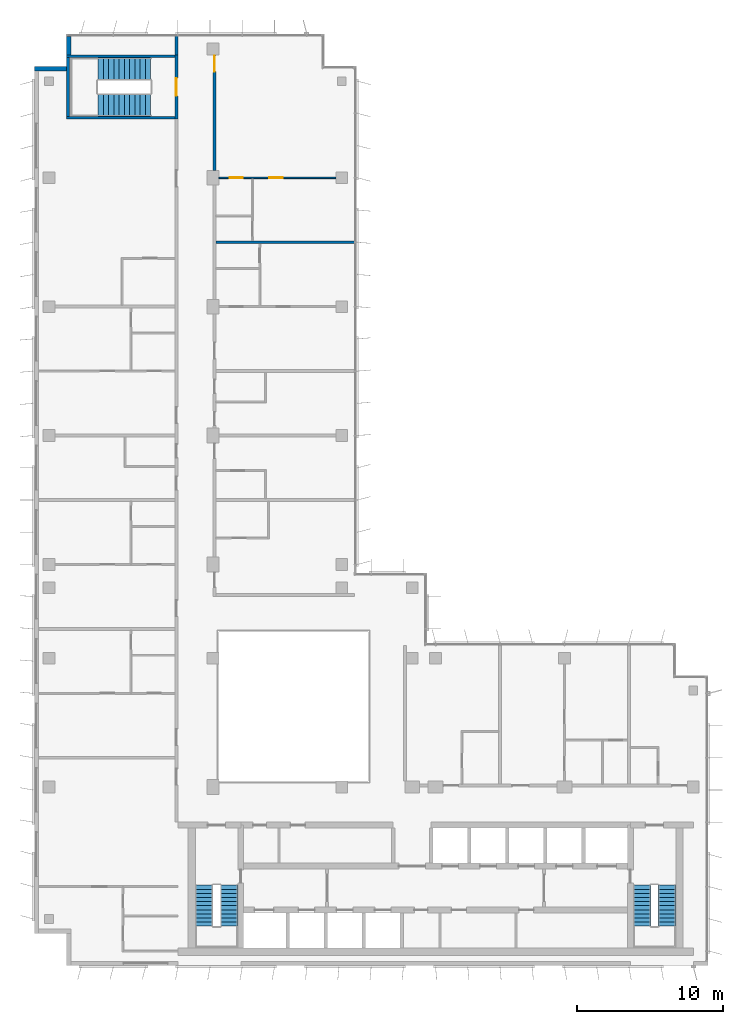
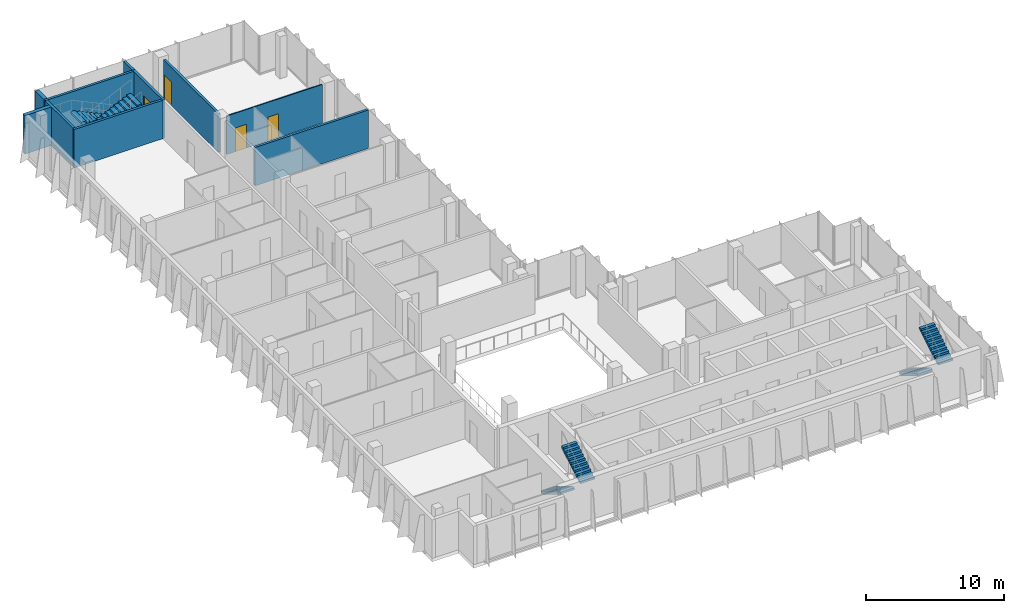
# One storey, part 13 of 16: 10 walls, 6 stair flights, 4 doors, 4 openings, 3 elements without a shape of their own.
"""IFC4 building model written with IfcOpenShell, lengths in metres."""

from ifc_helpers import new_model, si_unit, direction, frame, frame_2d, origin, place, context, subcontext, project, spatial, polyline, rectangle, outline, extrude, material, layer, layer_set, type_object, element, fill, aggregate, save


model = new_model("IFC4")

# Units and contexts
model_context = context("Model", 3, precision=1e-05, world=origin(), true_north=direction((0.0, 1.0)))
body_context = subcontext(model_context, "Body", "Model", "MODEL_VIEW")
ifc_project = project(units=[si_unit("LENGTHUNIT", "METRE"), si_unit("AREAUNIT", "SQUARE_METRE"), si_unit("VOLUMEUNIT", "CUBIC_METRE"), si_unit("PLANEANGLEUNIT", "RADIAN"), si_unit("MASSUNIT", "GRAM", prefix="KILO")], contexts=[model_context])

# Site, building, storey
site_placement = place(None, origin())
site = spatial("IfcSite", under=ifc_project, at=site_placement, CompositionType="ELEMENT")
building_placement = place(site_placement, origin())
building = spatial("IfcBuilding", under=site, at=building_placement, Name="Kemantara Hotel Tower", CompositionType="ELEMENT")
storey_placement = place(building_placement, frame((0.0, 0.0, 283.300048828125)))
storey = spatial("IfcBuildingStorey", under=building, at=storey_placement, Name="L71", CompositionType="ELEMENT", Elevation=283.300048828125)

# Walls
ifc_material_1 = material(Name="Bronze anodised aluminium cladding on insulated steel stud wall", Category="steel")
ifc_layer_1 = layer(ifc_material_1, 0.300048828125)
ifc_layer_set_1 = layer_set([ifc_layer_1], Name="Bronze anodised aluminium cladding on insulated steel stud wall")
wall_type_1 = type_object("IfcWallType", Name="BRONZE METAL-CLAD EXTERNAL WALL 300", PredefinedType="STANDARD", material=ifc_layer_set_1)
wall_1_placement = place(storey_placement, frame((2.35009765625, 63.449951171875, 0.0), z_axis=(0.0, 0.0, 1.0), x_axis=(0.0, -1.0, 0.0)))
element("IfcWall", 1, at=wall_1_placement, inside=storey, type_object=wall_type_1, Name="EXTERNAL WALL L71 T4-R03", PredefinedType="STANDARD", context=body_context, shape_type="SweptSolid", body=[
    extrude(rectangle(XDim=1.25, YDim=0.300048828125, at=frame_2d((0.625, 0.0))), origin(), (0.0, 0.0, 1.0), 3.39990234375),
])
wall_2_placement = place(storey_placement, frame((2.199951171875, 61.25, 0.0), z_axis=(0.0, 0.0, 1.0), x_axis=(-1.0, 0.0, 0.0)))
element("IfcWall", 2, at=wall_2_placement, inside=storey, type_object=wall_type_1, Name="EXTERNAL WALL L71 T4-R04", PredefinedType="STANDARD", context=body_context, shape_type="SweptSolid", body=[
    extrude(rectangle(XDim=2.199951171875, YDim=0.300048828125, at=frame_2d((1.10009765625, 0.0))), origin(), (0.0, 0.0, 1.0), 3.39990234375),
])
ifc_material_2 = material(Name="Gypsum board partition, steel studs and mineral wool, 200 mm", Category="steel")
ifc_layer_2 = layer(ifc_material_2, 0.199951171875)
ifc_layer_set_2 = layer_set([ifc_layer_2], Name="Gypsum board partition, steel studs and mineral wool, 200 mm")
wall_type_2 = type_object("IfcWallType", Name="CORRIDOR WALL 200", PredefinedType="PARTITIONING", material=ifc_layer_set_2)
wall_3_placement = place(storey_placement, frame((9.699951171875, 62.199951171875, 0.0), z_axis=(0.0, 0.0, 1.0), x_axis=(0.0, 1.0, 0.0)))
element("IfcWall", 3, at=wall_3_placement, inside=storey, type_object=wall_type_2, Name="CORRIDOR WALL 200 008", PredefinedType="PARTITIONING", context=body_context, shape_type="SweptSolid", body=[
    extrude(rectangle(XDim=1.280029296875, YDim=0.199951171875, at=frame_2d((0.64013671875, 0.0))), origin(), (0.0, 0.0, 1.0), 3.39990234375),
])

# Wall, opening, door
wall_4_placement = place(storey_placement, frame((12.300048828125, 62.199951171875, 0.0), z_axis=(0.0, 0.0, 1.0), x_axis=(0.0, -1.0, 0.0)))
wall_4 = element("IfcWall", 4, at=wall_4_placement, inside=storey, type_object=wall_type_2, Name="CORRIDOR WALL 200 020", PredefinedType="PARTITIONING", context=body_context, shape_type="SweptSolid", body=[
    extrude(rectangle(XDim=7.89990234375, YDim=0.199951171875, at=frame_2d((3.949951171875, 0.0))), origin(), (0.0, 0.0, 1.0), 3.39990234375),
])
opening_1_placement = place(wall_4_placement, frame((0.0498046875, 0.0, 0.0)))
opening_1 = element("IfcOpeningElement", 5, at=opening_1_placement, cuts=wall_4, Name="Opening F35-039", PredefinedType="OPENING", context=body_context, shape_type="SweptSolid", body=[
    extrude(rectangle(XDim=1.10009765625, YDim=2.10009765625, at=frame_2d((0.550048828125, 1.050048828125))), frame((0.0, 0.10986328125, 0.0), z_axis=(0.0, -1.0, 0.0), x_axis=(1.0, 0.0, 0.0)), (0.0, 0.0, 1.0), 0.219970703125),
])
ifc_material_3 = material(Name="Hardwood veneer door leaf with steel frame", Category="steel")
door_type_1 = type_object("IfcDoorType", Name="SUITE ENTRANCE DOOR 1100 X 2100 FD30S", OperationType="NOTDEFINED", PredefinedType="DOOR", material=ifc_material_3)
door_1_placement = place(opening_1_placement, origin())
door_1 = element("IfcDoor", 6, at=door_1_placement, inside=storey, type_object=door_type_1, Name="SUITE ENTRANCE DOOR F35-039", OperationType="SINGLE_SWING_LEFT", OverallHeight=2.10009765625, OverallWidth=1.10009765625, PredefinedType="DOOR", context=body_context, shape_type="SweptSolid", body=[
    extrude(rectangle(XDim=1.10009765625, YDim=2.10009765625, at=frame_2d((0.550048828125, 1.050048828125))), frame((0.0, 0.02490234375, 0.0), z_axis=(0.0, -1.0, 0.0), x_axis=(1.0, 0.0, 0.0)), (0.0, 0.0, 1.0), 0.050048828125),
])
fill(opening_1, door_1)

ifc_material_4 = material(Name="Concrete fc 40 MPa", Category="concrete")
ifc_layer_3 = layer(ifc_material_4, 0.199951171875)
ifc_layer_set_3 = layer_set([ifc_layer_3], Name="Concrete fc 40 MPa")
wall_type_3 = type_object("IfcWallType", Name="Concrete stair wall 200 mm", PredefinedType="SHEAR", material=ifc_layer_set_3)
wall_5_placement = place(storey_placement, frame((9.699951171875, 57.800048828125, 0.0), z_axis=(0.0, 0.0, 1.0), x_axis=(0.0, 1.0, 0.0)))
wall_5 = element("IfcWall", 7, at=wall_5_placement, inside=storey, type_object=wall_type_3, Name="Stair ST4 enclosure wall with door", PredefinedType="SHEAR", context=body_context, shape_type="SweptSolid", body=[
    extrude(rectangle(XDim=4.39990234375, YDim=0.199951171875, at=frame_2d((2.199951171875, 0.0))), origin(), (0.0, 0.0, 1.0), 3.39990234375),
])
opening_2_placement = place(wall_5_placement, frame((1.60009765625, 0.0, 0.0)))
opening_2 = element("IfcOpeningElement", 8, at=opening_2_placement, cuts=wall_5, Name="Opening ST4-C", PredefinedType="OPENING", context=body_context, shape_type="SweptSolid", body=[
    extrude(rectangle(XDim=1.199951171875, YDim=2.10009765625, at=frame_2d((0.60009765625, 1.050048828125))), frame((0.0, 0.10986328125, 0.0), z_axis=(0.0, -1.0, 0.0), x_axis=(1.0, 0.0, 0.0)), (0.0, 0.0, 1.0), 0.219970703125),
])
ifc_material_5 = material(Name="Steel fire door", Category="steel")
door_type_2 = type_object("IfcDoorType", Name="Fire door FD90 1200 x 2100", OperationType="NOTDEFINED", PredefinedType="DOOR", material=ifc_material_5)
door_2_placement = place(opening_2_placement, origin())
door_2 = element("IfcDoor", 9, at=door_2_placement, inside=storey, type_object=door_type_2, Name="Stair ST4 door", OperationType="SINGLE_SWING_RIGHT", OverallHeight=2.10009765625, OverallWidth=1.199951171875, PredefinedType="DOOR", context=body_context, shape_type="SweptSolid", body=[
    extrude(rectangle(XDim=1.199951171875, YDim=2.10009765625, at=frame_2d((0.60009765625, 1.050048828125))), frame((0.0, 0.02490234375, 0.0), z_axis=(0.0, -1.0, 0.0), x_axis=(1.0, 0.0, 0.0)), (0.0, 0.0, 1.0), 0.050048828125),
])
fill(opening_2, door_2)

# Walls
for number, where, z_axis, x_axis, name in (
    (10, (2.199951171875, 62.10009765625, 0.0), (0.0, 0.0, 1.0), (1.0, 0.0, 0.0), "Stair ST4 enclosure wall N"),
    (11, (2.199951171875, 57.89990234375, 0.0), (0.0, 0.0, 1.0), (1.0, 0.0, 0.0), "Stair ST4 enclosure wall S"),
):
    element("IfcWall", number, at=place(storey_placement, frame(where, z_axis=z_axis, x_axis=x_axis)), inside=storey, type_object=wall_type_3, Name=name, PredefinedType="SHEAR", context=body_context, shape_type="SweptSolid", body=[
        extrude(rectangle(XDim=7.400146484375, YDim=0.199951171875, at=frame_2d((3.7001953125, 0.0))), origin(), (0.0, 0.0, 1.0), 3.39990234375),
    ])
wall_6_placement = place(storey_placement, frame((2.300048828125, 58.0, 0.0), z_axis=(0.0, 0.0, 1.0), x_axis=(0.0, 1.0, 0.0)))
element("IfcWall", 12, at=wall_6_placement, inside=storey, type_object=wall_type_3, Name="Stair ST4 enclosure wall W", PredefinedType="SHEAR", context=body_context, shape_type="SweptSolid", body=[
    extrude(rectangle(XDim=4.0, YDim=0.199951171875, at=frame_2d((2.0, 0.0))), origin(), (0.0, 0.0, 1.0), 3.39990234375),
])
ifc_layer_4 = layer(ifc_material_2, 0.199951171875)
ifc_layer_set_4 = layer_set([ifc_layer_4], Name="Gypsum board partition, steel studs and mineral wool, 200 mm")
wall_type_4 = type_object("IfcWallType", Name="GUEST ROOM PARTY WALL 200", PredefinedType="PARTITIONING", material=ifc_layer_set_4)
wall_7_placement = place(storey_placement, frame((12.39990234375, 49.39990234375, 0.0), z_axis=(0.0, 0.0, 1.0), x_axis=(1.0, 0.0, 0.0)))
element("IfcWall", 13, at=wall_7_placement, inside=storey, type_object=wall_type_4, Name="GUEST ROOM PARTY WALL 200 023", PredefinedType="PARTITIONING", context=body_context, shape_type="SweptSolid", body=[
    extrude(rectangle(XDim=9.47021484375, YDim=0.199951171875, at=frame_2d((4.735107421875, 0.0))), origin(), (0.0, 0.0, 1.0), 3.39990234375),
])

# Wall, openings, doors
ifc_material_6 = material(Name="Gypsum board partition on steel studs, 100 mm", Category="steel")
ifc_layer_5 = layer(ifc_material_6, 0.10009765625)
ifc_layer_set_5 = layer_set([ifc_layer_5], Name="Gypsum board partition on steel studs, 100 mm")
wall_type_5 = type_object("IfcWallType", Name="ROOM PARTITION 100", PredefinedType="PARTITIONING", material=ifc_layer_set_5)
wall_8_placement = place(storey_placement, frame((12.60009765625, 53.800048828125, 0.0), z_axis=(0.0, 0.0, 1.0), x_axis=(1.0, 0.0, 0.0)))
wall_8 = element("IfcWall", 14, at=wall_8_placement, inside=storey, type_object=wall_type_5, Name="ROOM PARTITION 100 058", PredefinedType="PARTITIONING", context=body_context, shape_type="SweptSolid", body=[
    extrude(rectangle(XDim=7.999755859375, YDim=0.10009765625, at=frame_2d((4.0, 0.0))), origin(), (0.0, 0.0, 1.0), 3.39990234375),
])
opening_3_placement = place(wall_8_placement, frame((0.75, 0.0, 0.0)))
opening_3 = element("IfcOpeningElement", 15, at=opening_3_placement, cuts=wall_8, Name="Opening F35-040", PredefinedType="OPENING", context=body_context, shape_type="SweptSolid", body=[
    extrude(rectangle(XDim=0.89990234375, YDim=2.10009765625, at=frame_2d((0.449951171875, 1.050048828125))), frame((0.0, 0.06005859375, 0.0), z_axis=(0.0, -1.0, 0.0), x_axis=(1.0, 0.0, 0.0)), (0.0, 0.0, 1.0), 0.1201171875),
])
opening_4_placement = place(wall_8_placement, frame((3.449951171875, 0.0, 0.0)))
opening_4 = element("IfcOpeningElement", 16, at=opening_4_placement, cuts=wall_8, Name="Opening F35-041", PredefinedType="OPENING", context=body_context, shape_type="SweptSolid", body=[
    extrude(rectangle(XDim=0.89990234375, YDim=2.10009765625, at=frame_2d((0.449951171875, 1.050048828125))), frame((0.0, 0.06005859375, 0.0), z_axis=(0.0, -1.0, 0.0), x_axis=(1.0, 0.0, 0.0)), (0.0, 0.0, 1.0), 0.1201171875),
])
door_type_3 = type_object("IfcDoorType", Name="INTERNAL DOOR 900 X 2100", OperationType="NOTDEFINED", PredefinedType="DOOR", material=ifc_material_3)
door_3_placement = place(opening_4_placement, frame((0.89990234375, 0.0, 0.0), z_axis=(0.0, 0.0, 1.0), x_axis=(-1.0, 0.0, 0.0)))
door_3 = element("IfcDoor", 17, at=door_3_placement, inside=storey, type_object=door_type_3, Name="INTERNAL DOOR F35-041", OperationType="SINGLE_SWING_LEFT", OverallHeight=2.10009765625, OverallWidth=0.89990234375, PredefinedType="DOOR", context=body_context, shape_type="SweptSolid", body=[
    extrude(rectangle(XDim=0.89990234375, YDim=2.10009765625, at=frame_2d((0.449951171875, 1.050048828125))), frame((0.0, 0.02490234375, 0.0), z_axis=(0.0, -1.0, 0.0), x_axis=(1.0, 0.0, 0.0)), (0.0, 0.0, 1.0), 0.050048828125),
])
fill(opening_4, door_3)
door_type_4 = type_object("IfcDoorType", Name="PANTRY DOOR 900 X 2100", OperationType="NOTDEFINED", PredefinedType="DOOR", material=ifc_material_3)
door_4_placement = place(opening_3_placement, origin())
door_4 = element("IfcDoor", 18, at=door_4_placement, inside=storey, type_object=door_type_4, Name="PANTRY DOOR F35-040", OperationType="SINGLE_SWING_LEFT", OverallHeight=2.10009765625, OverallWidth=0.89990234375, PredefinedType="DOOR", context=body_context, shape_type="SweptSolid", body=[
    extrude(rectangle(XDim=0.89990234375, YDim=2.10009765625, at=frame_2d((0.449951171875, 1.050048828125))), frame((0.0, 0.02490234375, 0.0), z_axis=(0.0, -1.0, 0.0), x_axis=(1.0, 0.0, 0.0)), (0.0, 0.0, 1.0), 0.050048828125),
])
fill(opening_3, door_4)

# Stair, stair flights
stair_type_1 = type_object("IfcStairType", Name="Stair 1200 wide 22 risers of 168 x 280 mm", PredefinedType="HALF_TURN_STAIR", material=ifc_material_4)
stair_1_placement = place(storey_placement, origin())
stair_1 = element("IfcStair", 19, at=stair_1_placement, inside=storey, type_object=stair_type_1, Name="L71 Exit stair ST1", PredefinedType="HALF_TURN_STAIR")
stair_flight_type_1 = type_object("IfcStairFlightType", Name="Stair flight 1200 wide 168 x 280 mm", PredefinedType="STRAIGHT", material=ifc_material_4)
stair_flight_1_placement = place(storey_placement, frame((11.60009765625, 5.5, 0.0), z_axis=(0.0, 0.0, 1.0), x_axis=(0.0, -1.0, 0.0)))
stair_flight_1 = element("IfcStairFlight", 20, at=stair_flight_1_placement, type_object=stair_flight_type_1, Name="ST1 flight 1", NumberOfRisers=11, NumberOfTreads=10, PredefinedType="STRAIGHT", RiserHeight=0.168181818, TreadLength=0.28, context=body_context, shape_type="SweptSolid", body=[
    extrude(outline(polyline([(0.0, 0.0), (0.0, 0.168212890625), (0.280029296875, 0.168212890625), (0.280029296875, 0.33642578125), (0.56005859375, 0.33642578125), (0.56005859375, 0.504638671875), (0.840087890625, 0.504638671875), (0.840087890625, 0.672607421875), (1.1201171875, 0.672607421875), (1.1201171875, 0.8408203125), (1.39990234375, 0.8408203125), (1.39990234375, 1.009033203125), (1.679931640625, 1.009033203125), (1.679931640625, 1.17724609375), (1.9599609375, 1.17724609375), (1.9599609375, 1.345458984375), (2.239990234375, 1.345458984375), (2.239990234375, 1.513671875), (2.52001953125, 1.513671875), (2.52001953125, 1.681884765625), (2.800048828125, 1.681884765625), (2.800048828125, 1.85009765625), (2.800048828125, 1.5068359375), (0.291015625, 0.0), (0.0, 0.0)])), frame((0.0, 0.60009765625, 0.0), z_axis=(0.0, -1.0, 0.0), x_axis=(1.0, 0.0, 0.0)), (0.0, 0.0, 1.0), 1.199951171875),
])
stair_flight_2_placement = place(storey_placement, frame((13.300048828125, 2.699951171875, 1.849853515625), z_axis=(0.0, 0.0, 1.0), x_axis=(0.0, 1.0, 0.0)))
stair_flight_2 = element("IfcStairFlight", 21, at=stair_flight_2_placement, type_object=stair_flight_type_1, Name="ST1 flight 2", NumberOfRisers=11, NumberOfTreads=10, PredefinedType="STRAIGHT", RiserHeight=0.168181818, TreadLength=0.28, context=body_context, shape_type="SweptSolid", body=[
    extrude(outline(polyline([(0.0, 0.0), (0.0, 0.168212890625), (0.280029296875, 0.168212890625), (0.280029296875, 0.33642578125), (0.56005859375, 0.33642578125), (0.56005859375, 0.504638671875), (0.840087890625, 0.504638671875), (0.840087890625, 0.672607421875), (1.1201171875, 0.672607421875), (1.1201171875, 0.8408203125), (1.39990234375, 0.8408203125), (1.39990234375, 1.009033203125), (1.679931640625, 1.009033203125), (1.679931640625, 1.17724609375), (1.9599609375, 1.17724609375), (1.9599609375, 1.345458984375), (2.239990234375, 1.345458984375), (2.239990234375, 1.513671875), (2.52001953125, 1.513671875), (2.52001953125, 1.681884765625), (2.800048828125, 1.681884765625), (2.800048828125, 1.85009765625), (2.800048828125, 1.5068359375), (0.291015625, 0.0), (0.0, 0.0)])), frame((0.0, 0.60009765625, 0.0), z_axis=(0.0, -1.0, 0.0), x_axis=(1.0, 0.0, 0.0)), (0.0, 0.0, 1.0), 1.199951171875),
])
aggregate(stair_1, [stair_flight_1, stair_flight_2])

stair_2_placement = place(storey_placement, origin())
stair_2 = element("IfcStair", 22, at=stair_2_placement, inside=storey, type_object=stair_type_1, Name="L71 Exit stair ST2", PredefinedType="HALF_TURN_STAIR")
stair_flight_3_placement = place(storey_placement, frame((41.5, 5.5, 0.0), z_axis=(0.0, 0.0, 1.0), x_axis=(0.0, -1.0, 0.0)))
stair_flight_3 = element("IfcStairFlight", 23, at=stair_flight_3_placement, type_object=stair_flight_type_1, Name="ST2 flight 1", NumberOfRisers=11, NumberOfTreads=10, PredefinedType="STRAIGHT", RiserHeight=0.168181818, TreadLength=0.28, context=body_context, shape_type="SweptSolid", body=[
    extrude(outline(polyline([(0.0, 0.0), (0.0, 0.168212890625), (0.280029296875, 0.168212890625), (0.280029296875, 0.33642578125), (0.56005859375, 0.33642578125), (0.56005859375, 0.504638671875), (0.840087890625, 0.504638671875), (0.840087890625, 0.672607421875), (1.1201171875, 0.672607421875), (1.1201171875, 0.8408203125), (1.39990234375, 0.8408203125), (1.39990234375, 1.009033203125), (1.679931640625, 1.009033203125), (1.679931640625, 1.17724609375), (1.9599609375, 1.17724609375), (1.9599609375, 1.345458984375), (2.239990234375, 1.345458984375), (2.239990234375, 1.513671875), (2.52001953125, 1.513671875), (2.52001953125, 1.681884765625), (2.800048828125, 1.681884765625), (2.800048828125, 1.85009765625), (2.800048828125, 1.5068359375), (0.291015625, 0.0), (0.0, 0.0)])), frame((0.0, 0.60009765625, 0.0), z_axis=(0.0, -1.0, 0.0), x_axis=(1.0, 0.0, 0.0)), (0.0, 0.0, 1.0), 1.199951171875),
])
stair_flight_4_placement = place(storey_placement, frame((43.199951171875, 2.699951171875, 1.849853515625), z_axis=(0.0, 0.0, 1.0), x_axis=(0.0, 1.0, 0.0)))
stair_flight_4 = element("IfcStairFlight", 24, at=stair_flight_4_placement, type_object=stair_flight_type_1, Name="ST2 flight 2", NumberOfRisers=11, NumberOfTreads=10, PredefinedType="STRAIGHT", RiserHeight=0.168181818, TreadLength=0.28, context=body_context, shape_type="SweptSolid", body=[
    extrude(outline(polyline([(0.0, 0.0), (0.0, 0.168212890625), (0.280029296875, 0.168212890625), (0.280029296875, 0.33642578125), (0.56005859375, 0.33642578125), (0.56005859375, 0.504638671875), (0.840087890625, 0.504638671875), (0.840087890625, 0.672607421875), (1.1201171875, 0.672607421875), (1.1201171875, 0.8408203125), (1.39990234375, 0.8408203125), (1.39990234375, 1.009033203125), (1.679931640625, 1.009033203125), (1.679931640625, 1.17724609375), (1.9599609375, 1.17724609375), (1.9599609375, 1.345458984375), (2.239990234375, 1.345458984375), (2.239990234375, 1.513671875), (2.52001953125, 1.513671875), (2.52001953125, 1.681884765625), (2.800048828125, 1.681884765625), (2.800048828125, 1.85009765625), (2.800048828125, 1.5068359375), (0.291015625, 0.0), (0.0, 0.0)])), frame((0.0, 0.60009765625, 0.0), z_axis=(0.0, -1.0, 0.0), x_axis=(1.0, 0.0, 0.0)), (0.0, 0.0, 1.0), 1.199951171875),
])
aggregate(stair_2, [stair_flight_3, stair_flight_4])

stair_type_2 = type_object("IfcStairType", Name="Stair 1550 wide 22 risers of 168 x 360 mm", PredefinedType="HALF_TURN_STAIR", material=ifc_material_4)
stair_3_placement = place(storey_placement, origin())
stair_3 = element("IfcStair", 25, at=stair_3_placement, inside=storey, type_object=stair_type_2, Name="L71 Exit stair ST4", PredefinedType="HALF_TURN_STAIR")
stair_flight_type_2 = type_object("IfcStairFlightType", Name="Stair flight 1550 wide 168 x 360 mm", PredefinedType="STRAIGHT", material=ifc_material_4)
stair_flight_5_placement = place(storey_placement, frame((7.949951171875, 61.22509765625, 0.0), z_axis=(0.0, 0.0, 1.0), x_axis=(-1.0, 0.0, 0.0)))
stair_flight_5 = element("IfcStairFlight", 26, at=stair_flight_5_placement, type_object=stair_flight_type_2, Name="ST4 flight 1", NumberOfRisers=11, NumberOfTreads=10, PredefinedType="STRAIGHT", RiserHeight=0.168181818, TreadLength=0.36, context=body_context, shape_type="SweptSolid", body=[
    extrude(outline(polyline([(0.0, 0.0), (0.0, 0.168212890625), (0.360107421875, 0.168212890625), (0.360107421875, 0.33642578125), (0.719970703125, 0.33642578125), (0.719970703125, 0.504638671875), (1.080078125, 0.504638671875), (1.080078125, 0.672607421875), (1.43994140625, 0.672607421875), (1.43994140625, 0.8408203125), (1.800048828125, 0.8408203125), (1.800048828125, 1.009033203125), (2.159912109375, 1.009033203125), (2.159912109375, 1.17724609375), (2.52001953125, 1.17724609375), (2.52001953125, 1.345458984375), (2.8798828125, 1.345458984375), (2.8798828125, 1.513671875), (3.239990234375, 1.513671875), (3.239990234375, 1.681884765625), (3.60009765625, 1.681884765625), (3.60009765625, 1.85009765625), (3.60009765625, 1.516357421875), (0.354248046875, 0.0), (0.0, 0.0)])), frame((0.0, 0.77490234375, 0.0), z_axis=(0.0, -1.0, 0.0), x_axis=(1.0, 0.0, 0.0)), (0.0, 0.0, 1.0), 1.550048828125),
])
stair_flight_6_placement = place(storey_placement, frame((4.35009765625, 58.77490234375, 1.849853515625), z_axis=(0.0, 0.0, 1.0), x_axis=(1.0, 0.0, 0.0)))
stair_flight_6 = element("IfcStairFlight", 27, at=stair_flight_6_placement, type_object=stair_flight_type_2, Name="ST4 flight 2", NumberOfRisers=11, NumberOfTreads=10, PredefinedType="STRAIGHT", RiserHeight=0.168181818, TreadLength=0.36, context=body_context, shape_type="SweptSolid", body=[
    extrude(outline(polyline([(0.0, 0.0), (0.0, 0.168212890625), (0.360107421875, 0.168212890625), (0.360107421875, 0.33642578125), (0.719970703125, 0.33642578125), (0.719970703125, 0.504638671875), (1.080078125, 0.504638671875), (1.080078125, 0.672607421875), (1.43994140625, 0.672607421875), (1.43994140625, 0.8408203125), (1.800048828125, 0.8408203125), (1.800048828125, 1.009033203125), (2.159912109375, 1.009033203125), (2.159912109375, 1.17724609375), (2.52001953125, 1.17724609375), (2.52001953125, 1.345458984375), (2.8798828125, 1.345458984375), (2.8798828125, 1.513671875), (3.239990234375, 1.513671875), (3.239990234375, 1.681884765625), (3.60009765625, 1.681884765625), (3.60009765625, 1.85009765625), (3.60009765625, 1.516357421875), (0.354248046875, 0.0), (0.0, 0.0)])), frame((0.0, 0.77490234375, 0.0), z_axis=(0.0, -1.0, 0.0), x_axis=(1.0, 0.0, 0.0)), (0.0, 0.0, 1.0), 1.550048828125),
])
aggregate(stair_3, [stair_flight_5, stair_flight_6])

save(model, "model.ifc")
